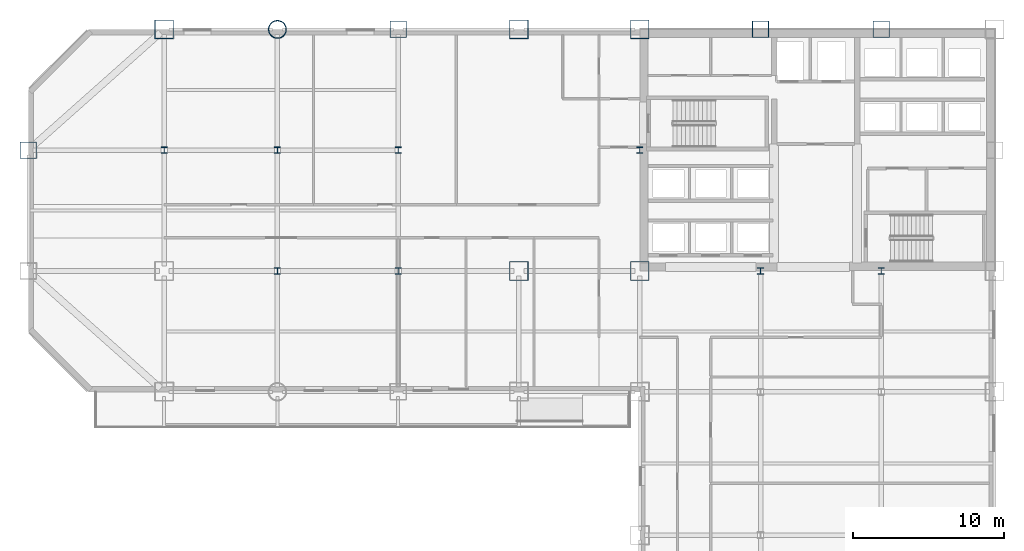
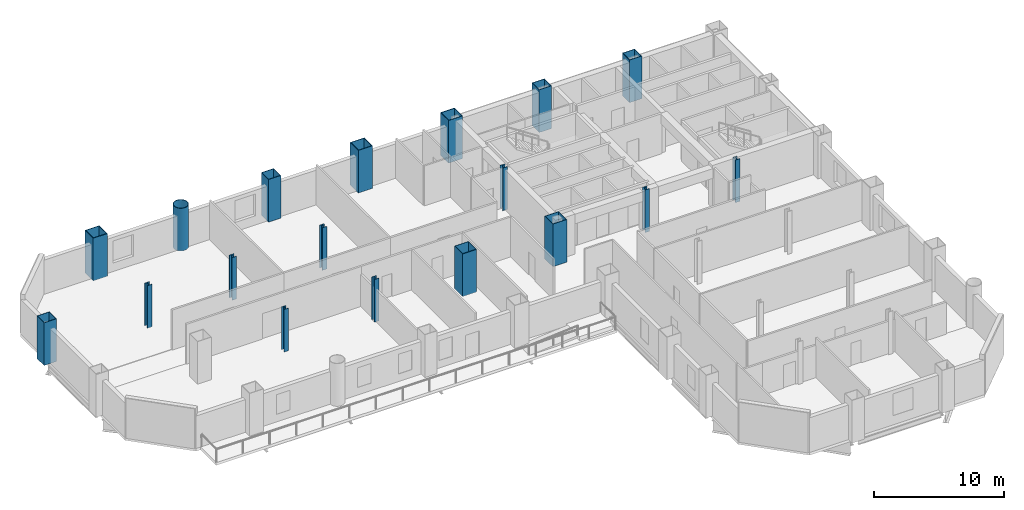
# One storey, part 2 of 9: 18 columns.
"""IFC4 building model written with IfcOpenShell, lengths in metres."""

from ifc_helpers import new_model, si_unit, direction, frame, origin, origin_2d, place, context, subcontext, project, spatial, hollow_rectangle, hollow_circle, i_section, extrude, material, material_profile, profile_set, type_object, element, save


model = new_model("IFC4")

# Units and contexts
model_context = context("Model", 3, precision=1e-05, world=origin(), true_north=direction((0.0, 1.0)))
body_context = subcontext(model_context, "Body", "Model", "MODEL_VIEW")
ifc_project = project(units=[si_unit("LENGTHUNIT", "METRE"), si_unit("AREAUNIT", "SQUARE_METRE"), si_unit("VOLUMEUNIT", "CUBIC_METRE"), si_unit("PLANEANGLEUNIT", "RADIAN"), si_unit("MASSUNIT", "GRAM", prefix="KILO")], contexts=[model_context])

# Site, building, storey
site_placement = place(None, origin())
site = spatial("IfcSite", under=ifc_project, at=site_placement, CompositionType="ELEMENT")
building_placement = place(site_placement, origin())
building = spatial("IfcBuilding", under=site, at=building_placement, Name="Qianrong Seaharbour Tower", CompositionType="ELEMENT")
storey_placement = place(building_placement, frame((0.0, 0.0, 100.199951171875)))
storey = spatial("IfcBuildingStorey", under=building, at=storey_placement, Name="L24", CompositionType="ELEMENT", Elevation=100.199951171875)

# Columns
ifc_material = material(Name="Structural steel SN490B", Category="steel")
ifc_material_profile_1 = material_profile(ifc_material, hollow_rectangle(XDim=1.25, YDim=1.25, WallThickness=0.044921875, at=origin_2d()), Name="BOX1250x1250x45")
ifc_profile_set_1 = profile_set([ifc_material_profile_1], Name="Structural steel SN490B")
column_type_1 = type_object("IfcColumnType", Name="COL-CFT-1250", PredefinedType="COLUMN", material=ifc_profile_set_1)
for number, where, z_axis, x_axis, name in (
    (1, (9.0, 52.0, 0.0), (0.0, 0.0, 1.0), (1.0, 0.0, 0.0), "L24 Column MC-2 at G2/GH"),
    (2, (32.5, 36.0, 0.0), (0.0, 0.0, 1.0), (1.0, 0.0, 0.0), "L24 Column MC-2 at G5/GF"),
    (3, (32.5, 52.0, 0.0), (0.0, 0.0, 1.0), (1.0, 0.0, 0.0), "L24 Column MC-2 at G5/GH"),
    (4, (40.5, 36.0, 0.0), (0.0, 0.0, 1.0), (1.0, 0.0, 0.0), "L24 Column MC-2 at G6/GF"),
    (5, (40.5, 52.0, 0.0), (0.0, 0.0, 1.0), (1.0, 0.0, 0.0), "L24 Column MC-2 at G6/GH"),
):
    element("IfcColumn", number, at=place(storey_placement, frame(where, z_axis=z_axis, x_axis=x_axis)), inside=storey, type_object=column_type_1, Name=name, PredefinedType="COLUMN", context=body_context, shape_type="SweptSolid", body=[
        extrude(hollow_rectangle(XDim=1.25, YDim=1.25, WallThickness=0.044921875, at=origin_2d()), origin(), (0.0, 0.0, 1.0), 4.0),
    ])
ifc_material_profile_2 = material_profile(ifc_material, hollow_circle(Radius=0.60009765625, WallThickness=0.0400390625, at=origin_2d()), Name="CHS1200x40")
ifc_profile_set_2 = profile_set([ifc_material_profile_2], Name="Structural steel SN490B")
column_type_2 = type_object("IfcColumnType", Name="COL-CHS-1200", PredefinedType="COLUMN", material=ifc_profile_set_2)
column_placement = place(storey_placement, frame((16.5, 52.0, 0.0), z_axis=(0.0, 0.0, 1.0), x_axis=(1.0, 0.0, 0.0)))
element("IfcColumn", 6, at=column_placement, inside=storey, type_object=column_type_2, Name="L24 Column CC-1 at G3/GH", PredefinedType="COLUMN", context=body_context, shape_type="SweptSolid", body=[
    extrude(hollow_circle(Radius=0.60009765625, WallThickness=0.0400390625, at=origin_2d()), origin(), (0.0, 0.0, 1.0), 4.0),
])
ifc_material_profile_3 = material_profile(ifc_material, i_section(OverallWidth=0.406982421875, OverallDepth=0.427978515625, WebThickness=0.02001953125, FlangeThickness=0.034912109375, FilletRadius=0.02197265625, at=origin_2d()), Name="H428x407x20x35")
ifc_profile_set_3 = profile_set([ifc_material_profile_3], Name="Structural steel SN490B")
column_type_3 = type_object("IfcColumnType", Name="COL-INT-H428", PredefinedType="COLUMN", material=ifc_profile_set_3)
for number, where, z_axis, x_axis, name in (
    (7, (9.0, 44.0, 0.0), (0.0, 0.0, 1.0), (1.0, 0.0, 0.0), "L24 Column IC-2 at G2/GG"),
    (8, (16.5, 36.0, 0.0), (0.0, 0.0, 1.0), (1.0, 0.0, 0.0), "L24 Column IC-2 at G3/GF"),
    (9, (16.5, 44.0, 0.0), (0.0, 0.0, 1.0), (1.0, 0.0, 0.0), "L24 Column IC-2 at G3/GG"),
    (10, (24.5, 36.0, 0.0), (0.0, 0.0, 1.0), (1.0, 0.0, 0.0), "L24 Column IC-2 at G4/GF"),
    (11, (24.5, 44.0, 0.0), (0.0, 0.0, 1.0), (1.0, 0.0, 0.0), "L24 Column IC-2 at G4/GG"),
    (12, (40.5, 44.0, 0.0), (0.0, 0.0, 1.0), (1.0, 0.0, 0.0), "L24 Column IC-2 at G6/GG"),
    (13, (48.5, 36.0, 0.0), (0.0, 0.0, 1.0), (1.0, 0.0, 0.0), "L24 Column IC-2 at G7/GF"),
    (14, (56.5, 36.0, 0.0), (0.0, 0.0, 1.0), (1.0, 0.0, 0.0), "L24 Column IC-2 at G8/GF"),
):
    element("IfcColumn", number, at=place(storey_placement, frame(where, z_axis=z_axis, x_axis=x_axis)), inside=storey, type_object=column_type_3, Name=name, PredefinedType="COLUMN", context=body_context, shape_type="SweptSolid", body=[
        extrude(i_section(OverallWidth=0.406982421875, OverallDepth=0.427978515625, WebThickness=0.02001953125, FlangeThickness=0.034912109375, FilletRadius=0.02197265625, at=origin_2d()), origin(), (0.0, 0.0, 1.0), 4.0),
    ])
ifc_material_profile_4 = material_profile(ifc_material, hollow_rectangle(XDim=1.10009765625, YDim=1.10009765625, WallThickness=0.0400390625, at=origin_2d()), Name="BOX1100x1100x40")
ifc_profile_set_4 = profile_set([ifc_material_profile_4], Name="Structural steel SN490B")
column_type_4 = type_object("IfcColumnType", Name="COL-PER-1100", PredefinedType="COLUMN", material=ifc_profile_set_4)
for number, where, z_axis, x_axis, name in (
    (15, (0.0, 44.0, 0.0), (0.0, 0.0, 1.0), (1.0, 0.0, 0.0), "L24 Column PC-1 at G1/GG"),
    (16, (24.5, 52.0, 0.0), (0.0, 0.0, 1.0), (1.0, 0.0, 0.0), "L24 Column PC-1 at G4/GH"),
    (17, (48.5, 52.0, 0.0), (0.0, 0.0, 1.0), (1.0, 0.0, 0.0), "L24 Column PC-1 at G7/GH"),
    (18, (56.5, 52.0, 0.0), (0.0, 0.0, 1.0), (1.0, 0.0, 0.0), "L24 Column PC-1 at G8/GH"),
):
    element("IfcColumn", number, at=place(storey_placement, frame(where, z_axis=z_axis, x_axis=x_axis)), inside=storey, type_object=column_type_4, Name=name, PredefinedType="COLUMN", context=body_context, shape_type="SweptSolid", body=[
        extrude(hollow_rectangle(XDim=1.10009765625, YDim=1.10009765625, WallThickness=0.0400390625, at=origin_2d()), origin(), (0.0, 0.0, 1.0), 4.0),
    ])

save(model, "model.ifc")
